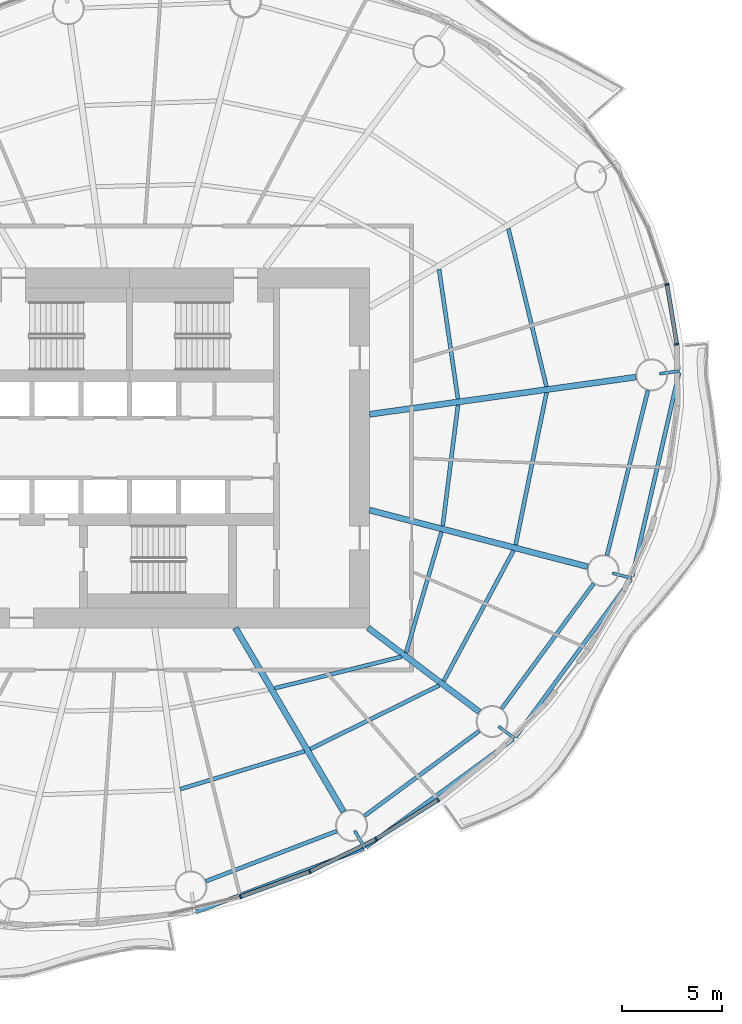
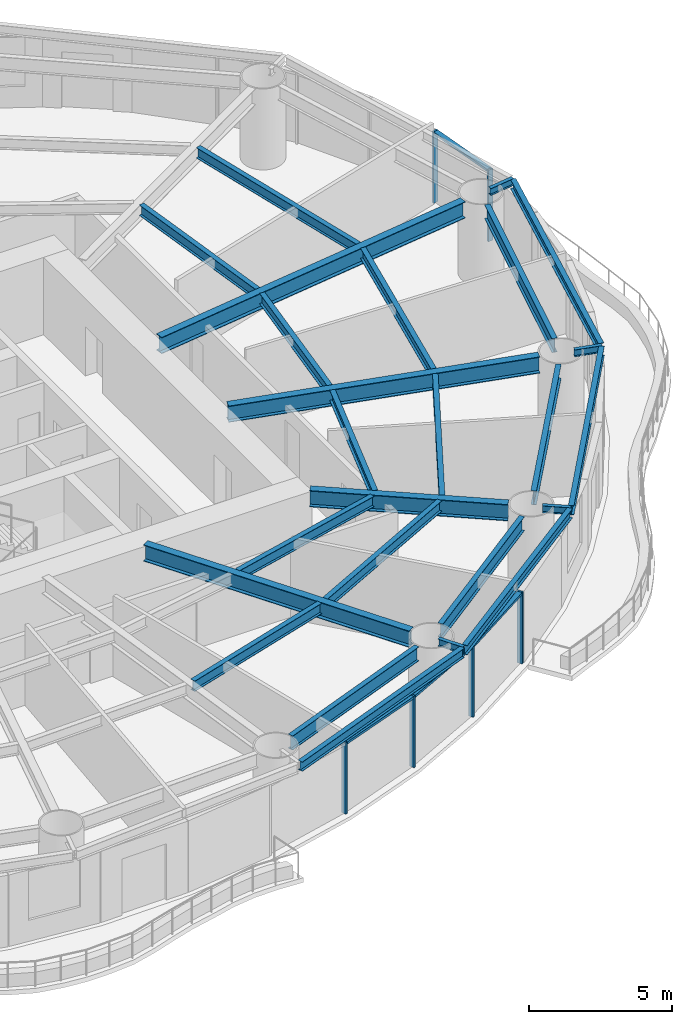
# One storey, part 4 of 14: 25 beams, 10 members, 5 elements without a shape of their own.
"""IFC4 building model written with IfcOpenShell, lengths in metres."""

from ifc_helpers import new_model, si_unit, direction, frame, origin, origin_2d, place, context, subcontext, project, spatial, rectangle, i_section, extrude, material, material_profile, profile_set, type_object, element, aggregate, save


model = new_model("IFC4")

# Units and contexts
model_context = context("Model", 3, precision=1e-05, world=origin(), true_north=direction((0.0, 1.0)))
body_context = subcontext(model_context, "Body", "Model", "MODEL_VIEW")
ifc_project = project(units=[si_unit("LENGTHUNIT", "METRE"), si_unit("AREAUNIT", "SQUARE_METRE"), si_unit("VOLUMEUNIT", "CUBIC_METRE"), si_unit("PLANEANGLEUNIT", "RADIAN"), si_unit("MASSUNIT", "GRAM", prefix="KILO")], contexts=[model_context])

# Site, building, storey
site_placement = place(None, origin())
site = spatial("IfcSite", under=ifc_project, at=site_placement, CompositionType="ELEMENT")
building_placement = place(site_placement, origin())
building = spatial("IfcBuilding", under=site, at=building_placement, Name="Vermilion Reach Broadcast Tower", CompositionType="ELEMENT")
storey_placement = place(building_placement, frame((0.0, 0.0, 124.60009765625)))
storey = spatial("IfcBuildingStorey", under=building, at=storey_placement, Name="L29", CompositionType="ELEMENT", Elevation=124.60009765625)

# Beams
ifc_material_1 = material(Name="Steel S355J2", Category="steel")
ifc_material_profile_1 = material_profile(ifc_material_1, i_section(OverallWidth=0.199951171875, OverallDepth=0.39990234375, WebThickness=0.008056640625, FlangeThickness=0.012939453125, at=origin_2d()), Name="S355J2 HN 400x200x8x13")
ifc_profile_set_1 = profile_set([ifc_material_profile_1], Name="Steel S355J2")
beam_type_1 = type_object("IfcBeamType", Name="EB2 HN 400x200x8x13", PredefinedType="BEAM", material=ifc_profile_set_1)
beam_1_placement = place(storey_placement, frame((-2.683349609375, -23.20751953125, 3.25), z_axis=(0.934998149822, 0.354652590333, 0.0), x_axis=(-0.354652590333, 0.934998149822, 0.0)))
element("IfcBeam", 1, at=beam_1_placement, inside=storey, type_object=beam_type_1, Name="Edge beam EB2-12", PredefinedType="BEAM", context=body_context, shape_type="SweptSolid", body=[
    extrude(i_section(OverallWidth=0.199951171875, OverallDepth=0.39990234375, WebThickness=0.008056640625, FlangeThickness=0.012939453125, at=origin_2d()), origin(), (0.0, 0.0, 1.0), 8.95458984375),
])
beam_2_placement = place(storey_placement, frame((5.821044921875, -19.960205078125, 3.25), z_axis=(0.806917046927, 0.5906647775, 0.0), x_axis=(-0.5906647775, 0.806917046927, 0.0)))
element("IfcBeam", 2, at=beam_2_placement, inside=storey, type_object=beam_type_1, Name="Edge beam EB2-13", PredefinedType="BEAM", context=body_context, shape_type="SweptSolid", body=[
    extrude(i_section(OverallWidth=0.199951171875, OverallDepth=0.39990234375, WebThickness=0.008056640625, FlangeThickness=0.012939453125, at=origin_2d()), origin(), (0.0, 0.0, 1.0), 9.119873046875),
])
beam_3_placement = place(storey_placement, frame((13.28759765625, -14.466552734375, 3.25), z_axis=(0.590871857955, 0.806765422831, 0.0), x_axis=(-0.806765422831, 0.590871857955, 0.0)))
element("IfcBeam", 3, at=beam_3_placement, inside=storey, type_object=beam_type_1, Name="Edge beam EB2-14", PredefinedType="BEAM", context=body_context, shape_type="SweptSolid", body=[
    extrude(i_section(OverallWidth=0.199951171875, OverallDepth=0.39990234375, WebThickness=0.008056640625, FlangeThickness=0.012939453125, at=origin_2d()), origin(), (0.0, 0.0, 1.0), 9.772705078125),
])
beam_4_placement = place(storey_placement, frame((19.12646484375, -6.444091796875, 3.25), z_axis=(0.223975624615, 0.974594746332, 0.0), x_axis=(-0.974594746332, 0.223975624615, 0.0)))
element("IfcBeam", 4, at=beam_4_placement, inside=storey, type_object=beam_type_1, Name="Edge beam EB2-15", PredefinedType="BEAM", context=body_context, shape_type="SweptSolid", body=[
    extrude(i_section(OverallWidth=0.199951171875, OverallDepth=0.39990234375, WebThickness=0.008056640625, FlangeThickness=0.012939453125, at=origin_2d()), origin(), (0.0, 0.0, 1.0), 10.470947265625),
])
ifc_material_2 = material(Name="Steel S355J2", Category="steel")
ifc_material_profile_2 = material_profile(ifc_material_2, i_section(OverallWidth=0.300048828125, OverallDepth=0.699951171875, WebThickness=0.012939453125, FlangeThickness=0.02392578125, at=origin_2d()), Name="S355J2 HN 700x300x13x24")
ifc_profile_set_2 = profile_set([ifc_material_profile_2], Name="Steel S355J2")
beam_type_2 = type_object("IfcBeamType", Name="G2 HN 700x300x13x24", PredefinedType="BEAM", material=ifc_profile_set_2)
beam_5_placement = place(storey_placement, frame((-0.709228515625, -9.0, 3.099853515625), z_axis=(0.506783943634, -0.862073102744, 0.0), x_axis=(0.862073102744, 0.506783943634, 0.0)))
element("IfcBeam", 5, at=beam_5_placement, inside=storey, type_object=beam_type_2, Name="Girder G2-13", PredefinedType="BEAM", context=body_context, shape_type="SweptSolid", body=[
    extrude(i_section(OverallWidth=0.300048828125, OverallDepth=0.699951171875, WebThickness=0.012939453125, FlangeThickness=0.02392578125, at=origin_2d()), origin(), (0.0, 0.0, 1.0), 10.661865234375),
])
beam_6_placement = place(storey_placement, frame((5.921630859375, -9.0, 3.099853515625), z_axis=(0.798113534072, -0.602507084382, 0.0), x_axis=(0.602507084382, 0.798113534072, 0.0)))
element("IfcBeam", 6, at=beam_6_placement, inside=storey, type_object=beam_type_2, Name="Girder G2-14", PredefinedType="BEAM", context=body_context, shape_type="SweptSolid", body=[
    extrude(i_section(OverallWidth=0.300048828125, OverallDepth=0.699951171875, WebThickness=0.012939453125, FlangeThickness=0.02392578125, at=origin_2d()), origin(), (0.0, 0.0, 1.0), 6.971923828125),
])
beam_7_placement = place(storey_placement, frame((6.0, -3.114501953125, 3.099853515625), z_axis=(0.967926079816, -0.2512351568, 0.0), x_axis=(0.2512351568, 0.967926079816, 0.0)))
element("IfcBeam", 7, at=beam_7_placement, inside=storey, type_object=beam_type_2, Name="Girder G2-15", PredefinedType="BEAM", context=body_context, shape_type="SweptSolid", body=[
    extrude(i_section(OverallWidth=0.300048828125, OverallDepth=0.699951171875, WebThickness=0.012939453125, FlangeThickness=0.02392578125, at=origin_2d()), origin(), (0.0, 0.0, 1.0), 11.265625),
])
beam_8_placement = place(storey_placement, frame((6.0, 1.67578125, 3.099853515625), z_axis=(0.990389457618, 0.138306623986, 0.0), x_axis=(-0.138306623986, 0.990389457618, 0.0)))
element("IfcBeam", 8, at=beam_8_placement, inside=storey, type_object=beam_type_2, Name="Girder G2-16", PredefinedType="BEAM", context=body_context, shape_type="SweptSolid", body=[
    extrude(i_section(OverallWidth=0.300048828125, OverallDepth=0.699951171875, WebThickness=0.012939453125, FlangeThickness=0.02392578125, at=origin_2d()), origin(), (0.0, 0.0, 1.0), 13.445556640625),
])
ifc_material_3 = material(Name="Steel S355J2", Category="steel")
ifc_material_profile_3 = material_profile(ifc_material_3, i_section(OverallWidth=0.14990234375, OverallDepth=0.300048828125, WebThickness=0.006591796875, FlangeThickness=0.009033203125, at=origin_2d()), Name="S355J2 HN 300x150x6.5x9")
ifc_profile_set_3 = profile_set([ifc_material_profile_3], Name="Steel S355J2")
beam_type_3 = type_object("IfcBeamType", Name="GS2 HN 300x150x6.5x9", PredefinedType="BEAM", material=ifc_profile_set_3)
for number, where, z_axis, x_axis, name in (
    (9, (5.25341796875, -19.142822265625, 3.2998046875), (0.506828068037, -0.862047161964, 0.0), (0.862047161964, 0.506828068037, 0.0), "Cantilever stub GS2-13"),
    (10, (12.445068359375, -13.924560546875, 3.2998046875), (0.798091683473, -0.602536027779, 0.0), (0.602536027779, 0.798091683473, 0.0), "Cantilever stub GS2-14"),
    (11, (18.1416015625, -6.265869140625, 3.2998046875), (0.967935368459, -0.251199368006, 0.0), (0.251199368006, 0.967935368459, 0.0), "Cantilever stub GS2-15"),
    (12, (20.499267578125, 3.70068359375, 3.2998046875), (0.990408003315, 0.13817375644, 0.0), (-0.13817375644, 0.990408003315, 0.0), "Cantilever stub GS2-16"),
):
    element("IfcBeam", number, at=place(storey_placement, frame(where, z_axis=z_axis, x_axis=x_axis)), inside=storey, type_object=beam_type_3, Name=name, PredefinedType="BEAM", context=body_context, shape_type="SweptSolid", body=[
        extrude(i_section(OverallWidth=0.14990234375, OverallDepth=0.300048828125, WebThickness=0.006591796875, FlangeThickness=0.009033203125, at=origin_2d()), origin(), (0.0, 0.0, 1.0), 1.0),
    ])
ifc_material_4 = material(Name="Steel S355J2", Category="steel")
ifc_material_profile_4 = material_profile(ifc_material_4, i_section(OverallWidth=0.199951171875, OverallDepth=0.60009765625, WebThickness=0.010986328125, FlangeThickness=0.01708984375, at=origin_2d()), Name="S355J2 HN 600x200x11x17")
ifc_profile_set_4 = profile_set([ifc_material_profile_4], Name="Steel S355J2")
beam_type_4 = type_object("IfcBeamType", Name="RB2 HN 600x200x11x17", PredefinedType="BEAM", material=ifc_profile_set_4)
beam_9_placement = place(storey_placement, frame((-2.186767578125, -21.669677734375, 3.14990234375), z_axis=(0.933939237212, 0.357431813353, 0.0), x_axis=(-0.357431813353, 0.933939237212, 0.0)))
element("IfcBeam", 13, at=beam_9_placement, inside=storey, type_object=beam_type_4, Name="Ring beam RB2-12", PredefinedType="BEAM", context=body_context, shape_type="SweptSolid", body=[
    extrude(i_section(OverallWidth=0.199951171875, OverallDepth=0.60009765625, WebThickness=0.010986328125, FlangeThickness=0.01708984375, at=origin_2d()), origin(), (0.0, 0.0, 1.0), 7.001953125),
])
beam_10_placement = place(storey_placement, frame((5.74267578125, -18.4052734375, 3.14990234375), z_axis=(0.803832742218, 0.594855379515, 0.0), x_axis=(-0.594855379515, 0.803832742218, 0.0)))
element("IfcBeam", 14, at=beam_10_placement, inside=storey, type_object=beam_type_4, Name="Ring beam RB2-13", PredefinedType="BEAM", context=body_context, shape_type="SweptSolid", body=[
    extrude(i_section(OverallWidth=0.199951171875, OverallDepth=0.60009765625, WebThickness=0.010986328125, FlangeThickness=0.01708984375, at=origin_2d()), origin(), (0.0, 0.0, 1.0), 7.13916015625),
])
beam_11_placement = place(storey_placement, frame((12.59912109375, -13.03857421875, 3.14990234375), z_axis=(0.593250534798, 0.80501788984, 0.0), x_axis=(-0.80501788984, 0.593250534798, 0.0)))
element("IfcBeam", 15, at=beam_11_placement, inside=storey, type_object=beam_type_4, Name="Ring beam RB2-14", PredefinedType="BEAM", context=body_context, shape_type="SweptSolid", body=[
    extrude(i_section(OverallWidth=0.199951171875, OverallDepth=0.60009765625, WebThickness=0.010986328125, FlangeThickness=0.01708984375, at=origin_2d()), origin(), (0.0, 0.0, 1.0), 7.76220703125),
])
beam_12_placement = place(storey_placement, frame((17.871337890625, -5.369384765625, 3.14990234375), z_axis=(0.240863809798, 0.970558924089, 0.0), x_axis=(-0.970558924089, 0.240863809798, 0.0)))
element("IfcBeam", 16, at=beam_12_placement, inside=storey, type_object=beam_type_4, Name="Ring beam RB2-15", PredefinedType="BEAM", context=body_context, shape_type="SweptSolid", body=[
    extrude(i_section(OverallWidth=0.199951171875, OverallDepth=0.60009765625, WebThickness=0.010986328125, FlangeThickness=0.01708984375, at=origin_2d()), origin(), (0.0, 0.0, 1.0), 8.489013671875),
])
ifc_material_5 = material(Name="Steel S355J2", Category="steel")
ifc_material_profile_5 = material_profile(ifc_material_5, i_section(OverallWidth=0.199951171875, OverallDepth=0.449951171875, WebThickness=0.009033203125, FlangeThickness=0.013916015625, at=origin_2d()), Name="S355J2 HN 450x200x9x14")
ifc_profile_set_5 = profile_set([ifc_material_profile_5], Name="Steel S355J2")
beam_type_5 = type_object("IfcBeamType", Name="SB2 HN 450x200x9x14", PredefinedType="BEAM", material=ifc_profile_set_5)
beam_13_placement = place(storey_placement, frame((-3.46533203125, -17.064697265625, 3.224853515625), z_axis=(0.956596430605, 0.291415972374, 0.0), x_axis=(-0.291415972374, 0.956596430605, 0.0)))
element("IfcBeam", 17, at=beam_13_placement, inside=storey, type_object=beam_type_5, Name="Secondary beam SB2-12-2", PredefinedType="BEAM", context=body_context, shape_type="SweptSolid", body=[
    extrude(i_section(OverallWidth=0.199951171875, OverallDepth=0.449951171875, WebThickness=0.009033203125, FlangeThickness=0.013916015625, at=origin_2d()), origin(), (0.0, 0.0, 1.0), 6.49267578125),
])
beam_14_placement = place(storey_placement, frame((1.24365234375, -12.026123046875, 3.224853515625), z_axis=(0.970396717612, 0.241516480695, 0.0), x_axis=(-0.241516480695, 0.970396717612, 0.0)))
element("IfcBeam", 18, at=beam_14_placement, inside=storey, type_object=beam_type_5, Name="Secondary beam SB2-13-1", PredefinedType="BEAM", context=body_context, shape_type="SweptSolid", body=[
    extrude(i_section(OverallWidth=0.199951171875, OverallDepth=0.449951171875, WebThickness=0.009033203125, FlangeThickness=0.013916015625, at=origin_2d()), origin(), (0.0, 0.0, 1.0), 6.539306640625),
])
beam_15_placement = place(storey_placement, frame((3.02783203125, -15.06103515625, 3.224853515625), z_axis=(0.896648255868, 0.442743611189, 0.0), x_axis=(-0.442743611189, 0.896648255868, 0.0)))
element("IfcBeam", 19, at=beam_15_placement, inside=storey, type_object=beam_type_5, Name="Secondary beam SB2-13-2", PredefinedType="BEAM", context=body_context, shape_type="SweptSolid", body=[
    extrude(i_section(OverallWidth=0.199951171875, OverallDepth=0.449951171875, WebThickness=0.009033203125, FlangeThickness=0.013916015625, at=origin_2d()), origin(), (0.0, 0.0, 1.0), 7.19677734375),
])
beam_16_placement = place(storey_placement, frame((7.821533203125, -10.246337890625, 3.224853515625), z_axis=(0.281175657723, 0.959656318431, 0.0), x_axis=(-0.959656318431, 0.281175657723, 0.0)))
element("IfcBeam", 20, at=beam_16_placement, inside=storey, type_object=beam_type_5, Name="Secondary beam SB2-14-1", PredefinedType="BEAM", context=body_context, shape_type="SweptSolid", body=[
    extrude(i_section(OverallWidth=0.199951171875, OverallDepth=0.449951171875, WebThickness=0.009033203125, FlangeThickness=0.013916015625, at=origin_2d()), origin(), (0.0, 0.0, 1.0), 6.298583984375),
])
beam_17_placement = place(storey_placement, frame((9.702880859375, -11.66650390625, 3.224853515625), z_axis=(0.471821551693, 0.881694064491, 0.0), x_axis=(-0.881694064491, 0.471821551693, 0.0)))
element("IfcBeam", 21, at=beam_17_placement, inside=storey, type_object=beam_type_5, Name="Secondary beam SB2-14-2", PredefinedType="BEAM", context=body_context, shape_type="SweptSolid", body=[
    extrude(i_section(OverallWidth=0.199951171875, OverallDepth=0.449951171875, WebThickness=0.009033203125, FlangeThickness=0.013916015625, at=origin_2d()), origin(), (0.0, 0.0, 1.0), 7.405029296875),
])
beam_18_placement = place(storey_placement, frame((9.65380859375, -3.907958984375, 3.224853515625), z_axis=(0.125557241128, 0.992086376885, 0.0), x_axis=(-0.992086376885, 0.125557241128, 0.0)))
element("IfcBeam", 22, at=beam_18_placement, inside=storey, type_object=beam_type_5, Name="Secondary beam SB2-15-1", PredefinedType="BEAM", context=body_context, shape_type="SweptSolid", body=[
    extrude(i_section(OverallWidth=0.199951171875, OverallDepth=0.449951171875, WebThickness=0.009033203125, FlangeThickness=0.013916015625, at=origin_2d()), origin(), (0.0, 0.0, 1.0), 6.097900390625),
])
beam_19_placement = place(storey_placement, frame((13.29931640625, -4.854248046875, 3.224853515625), z_axis=(0.19906416804, 0.979986457561, 0.0), x_axis=(-0.979986457561, 0.19906416804, 0.0)))
element("IfcBeam", 23, at=beam_19_placement, inside=storey, type_object=beam_type_5, Name="Secondary beam SB2-15-2", PredefinedType="BEAM", context=body_context, shape_type="SweptSolid", body=[
    extrude(i_section(OverallWidth=0.199951171875, OverallDepth=0.449951171875, WebThickness=0.009033203125, FlangeThickness=0.013916015625, at=origin_2d()), origin(), (0.0, 0.0, 1.0), 7.76953125),
])
beam_20_placement = place(storey_placement, frame((10.417236328125, 2.444091796875, 3.224853515625), z_axis=(-0.143973706518, 0.989581513485, 0.0), x_axis=(-0.989581513485, -0.143973706518, 0.0)))
element("IfcBeam", 24, at=beam_20_placement, inside=storey, type_object=beam_type_5, Name="Secondary beam SB2-16-1", PredefinedType="BEAM", context=body_context, shape_type="SweptSolid", body=[
    extrude(i_section(OverallWidth=0.199951171875, OverallDepth=0.449951171875, WebThickness=0.009033203125, FlangeThickness=0.013916015625, at=origin_2d()), origin(), (0.0, 0.0, 1.0), 6.547119140625),
])
beam_21_placement = place(storey_placement, frame((14.84228515625, 3.06201171875, 3.224853515625), z_axis=(-0.234260568382, 0.972173845617, 0.0), x_axis=(-0.972173845617, -0.234260568382, 0.0)))
element("IfcBeam", 25, at=beam_21_placement, inside=storey, type_object=beam_type_5, Name="Secondary beam SB2-16-2", PredefinedType="BEAM", context=body_context, shape_type="SweptSolid", body=[
    extrude(i_section(OverallWidth=0.199951171875, OverallDepth=0.449951171875, WebThickness=0.009033203125, FlangeThickness=0.013916015625, at=origin_2d()), origin(), (0.0, 0.0, 1.0), 8.123779296875),
])

# Curtain wall, member
ifc_material_6 = material(Name="Low-e laminated clear glass in aluminium frame", Category="aluminium")
curtain_wall_type = type_object("IfcCurtainWallType", Name="Slot curtain wall", PredefinedType="NOTDEFINED", material=ifc_material_6)
placement = place(storey_placement, origin())
curtain_wall_1 = element("IfcCurtainWall", 26, at=placement, inside=storey, type_object=curtain_wall_type, Name="Slot curtain wall L29 46", PredefinedType="NOTDEFINED")
ifc_material_7 = material(Name="Anodised aluminium", Category="aluminium")
ifc_material_profile_6 = material_profile(ifc_material_7, rectangle(XDim=0.199951171875, YDim=0.080078125, at=origin_2d()), Name="Slot mullion 80 x 200")
ifc_profile_set_6 = profile_set([ifc_material_profile_6], Name="Anodised aluminium")
member_type_1 = type_object("IfcMemberType", Name="Slot mullion 80 x 200", PredefinedType="MULLION", material=ifc_profile_set_6)
member_1_placement = place(storey_placement, frame((21.362060546875, 5.178955078125, 0.0), z_axis=(0.0, 0.0, 1.0), x_axis=(-0.996245378939, -0.086574505149, 0.0)))
member_1 = element("IfcMember", 27, at=member_1_placement, type_object=member_type_1, Name="Slot mullion L29 46", PredefinedType="MULLION", context=body_context, shape_type="SweptSolid", body=[
    extrude(rectangle(XDim=0.199951171875, YDim=0.080078125, at=origin_2d()), origin(), (0.0, 0.0, 1.0), 3.0498046875),
])

curtain_wall_2 = element("IfcCurtainWall", 28, at=placement, inside=storey, type_object=curtain_wall_type, Name="Slot curtain wall L29 47", PredefinedType="NOTDEFINED")
member_2_placement = place(storey_placement, frame((20.866943359375, 8.170166015625, 0.0), z_axis=(0.0, 0.0, 1.0), x_axis=(-0.970585827823, -0.240755375493, 0.0)))
member_2 = element("IfcMember", 29, at=member_2_placement, type_object=member_type_1, Name="Slot mullion L29 47", PredefinedType="MULLION", context=body_context, shape_type="SweptSolid", body=[
    extrude(rectangle(XDim=0.199951171875, YDim=0.080078125, at=origin_2d()), origin(), (0.0, 0.0, 1.0), 3.0498046875),
])
aggregate(curtain_wall_2, [member_2])

curtain_wall_3 = element("IfcCurtainWall", 30, at=placement, inside=storey, type_object=curtain_wall_type, Name="Slot curtain wall L29 35", PredefinedType="NOTDEFINED")
member_3_placement = place(storey_placement, frame((-0.4560546875, -22.4453125, 0.0), z_axis=(0.0, 0.0, 1.0), x_axis=(-0.29026913192, 0.95694505122, 0.0)))
member_3 = element("IfcMember", 31, at=member_3_placement, type_object=member_type_1, Name="Slot mullion L29 35", PredefinedType="MULLION", context=body_context, shape_type="SweptSolid", body=[
    extrude(rectangle(XDim=0.199951171875, YDim=0.080078125, at=origin_2d()), origin(), (0.0, 0.0, 1.0), 3.0498046875),
])

curtain_wall_4 = element("IfcCurtainWall", 32, at=placement, inside=storey, type_object=curtain_wall_type, Name="Slot curtain wall L29 36", PredefinedType="NOTDEFINED")
member_4_placement = place(storey_placement, frame((3.01025390625, -21.185791015625, 0.0), z_axis=(0.0, 0.0, 1.0), x_axis=(-0.391373690383, 0.920231837352, 0.0)))
member_4 = element("IfcMember", 33, at=member_4_placement, type_object=member_type_1, Name="Slot mullion L29 36", PredefinedType="MULLION", context=body_context, shape_type="SweptSolid", body=[
    extrude(rectangle(XDim=0.199951171875, YDim=0.080078125, at=origin_2d()), origin(), (0.0, 0.0, 1.0), 3.0498046875),
])

# Curtain wall, members
curtain_wall_5 = element("IfcCurtainWall", 34, at=placement, inside=storey, type_object=curtain_wall_type, Name="Slot curtain wall L29 37", PredefinedType="NOTDEFINED")
member_5_placement = place(storey_placement, frame((6.322021484375, -19.5625, 0.0), z_axis=(0.0, 0.0, 1.0), x_axis=(-0.487950062032, 0.872871546657, 0.0)))
member_5 = element("IfcMember", 35, at=member_5_placement, type_object=member_type_1, Name="Slot mullion L29 37", PredefinedType="MULLION", context=body_context, shape_type="SweptSolid", body=[
    extrude(rectangle(XDim=0.199951171875, YDim=0.080078125, at=origin_2d()), origin(), (0.0, 0.0, 1.0), 3.0498046875),
])
member_6_placement = place(storey_placement, frame((9.421630859375, -17.603271484375, 0.0), z_axis=(0.0, 0.0, 1.0), x_axis=(-0.579864266206, 0.814713098444, 0.0)))
member_6 = element("IfcMember", 36, at=member_6_placement, type_object=member_type_1, Name="Slot mullion L29 38", PredefinedType="MULLION", context=body_context, shape_type="SweptSolid", body=[
    extrude(rectangle(XDim=0.199951171875, YDim=0.080078125, at=origin_2d()), origin(), (0.0, 0.0, 1.0), 3.0498046875),
])

# Member
ifc_material_8 = material(Name="Anodised aluminium", Category="aluminium")
ifc_material_profile_7 = material_profile(ifc_material_8, rectangle(XDim=0.199951171875, YDim=0.10009765625, at=origin_2d()), Name="Slot transom 200 x 100")
ifc_profile_set_7 = profile_set([ifc_material_profile_7], Name="Anodised aluminium")
member_type_2 = type_object("IfcMemberType", Name="Slot transom 200 x 100", PredefinedType="USERDEFINED", material=ifc_profile_set_7)
member_7_placement = place(storey_placement, frame((21.35546875, 5.21826171875, 3.0), z_axis=(-0.163258895088, 0.98658326216, 0.0), x_axis=(-0.98658326216, -0.163258895088, 0.0)))
member_7 = element("IfcMember", 37, at=member_7_placement, type_object=member_type_2, Name="Slot transom L29 46.1", ObjectType="TRANSOM", PredefinedType="USERDEFINED", context=body_context, shape_type="SweptSolid", body=[
    extrude(rectangle(XDim=0.199951171875, YDim=0.10009765625, at=origin_2d()), origin(), (0.0, 0.0, 1.0), 2.951904296875),
])

aggregate(curtain_wall_1, [member_1, member_7])

member_8_placement = place(storey_placement, frame((-0.41845703125, -22.431640625, 3.0), z_axis=(0.939878347169, 0.341509432553, 0.0), x_axis=(-0.341509432553, 0.939878347169, 0.0)))
member_8 = element("IfcMember", 38, at=member_8_placement, type_object=member_type_2, Name="Slot transom L29 35.1", ObjectType="TRANSOM", PredefinedType="USERDEFINED", context=body_context, shape_type="SweptSolid", body=[
    extrude(rectangle(XDim=0.199951171875, YDim=0.10009765625, at=origin_2d()), origin(), (0.0, 0.0, 1.0), 3.608154296875),
])

aggregate(curtain_wall_3, [member_3, member_8])

member_9_placement = place(storey_placement, frame((3.046142578125, -21.168212890625, 3.0), z_axis=(0.897918100839, 0.440162565634, 0.0), x_axis=(-0.440162565634, 0.897918100839, 0.0)))
member_9 = element("IfcMember", 39, at=member_9_placement, type_object=member_type_2, Name="Slot transom L29 36.1", ObjectType="TRANSOM", PredefinedType="USERDEFINED", context=body_context, shape_type="SweptSolid", body=[
    extrude(rectangle(XDim=0.199951171875, YDim=0.10009765625, at=origin_2d()), origin(), (0.0, 0.0, 1.0), 3.608154296875),
])

aggregate(curtain_wall_4, [member_4, member_9])

member_10_placement = place(storey_placement, frame((6.355712890625, -19.541259765625, 3.0), z_axis=(0.845260784863, 0.534354007727, 0.0), x_axis=(-0.534354007727, 0.845260784863, 0.0)))
member_10 = element("IfcMember", 40, at=member_10_placement, type_object=member_type_2, Name="Slot transom L29 37.1", ObjectType="TRANSOM", PredefinedType="USERDEFINED", context=body_context, shape_type="SweptSolid", body=[
    extrude(rectangle(XDim=0.199951171875, YDim=0.10009765625, at=origin_2d()), origin(), (0.0, 0.0, 1.0), 3.587158203125),
])

aggregate(curtain_wall_5, [member_5, member_6, member_10])

save(model, "model.ifc")
